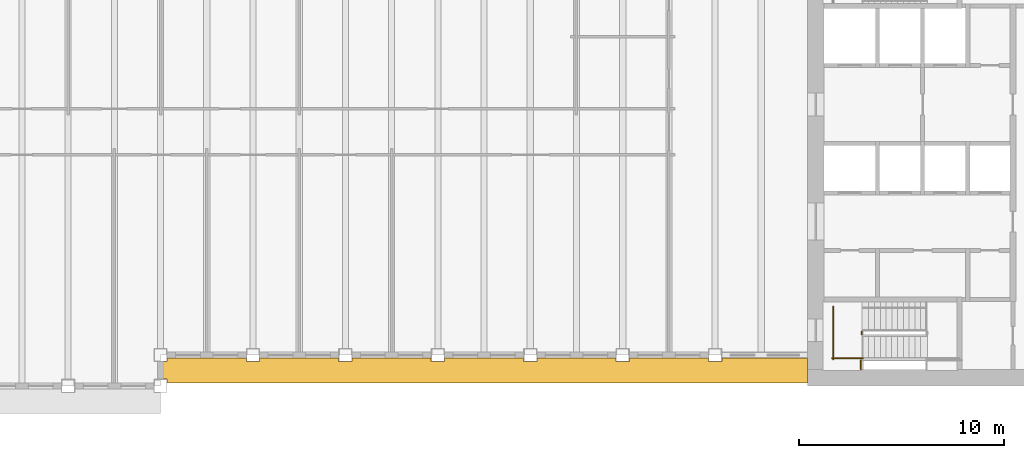
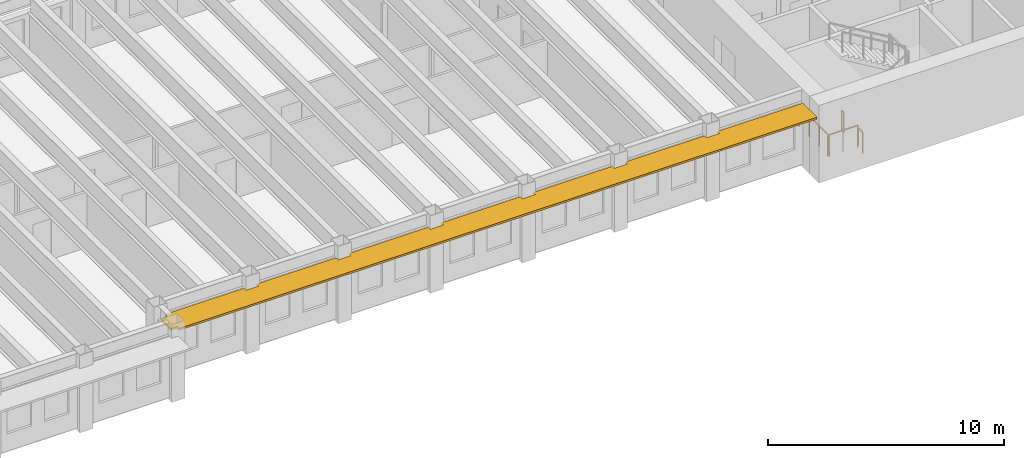
# One storey, part 9 of 12: 4 railings, 1 shading device.
"""IFC4 building model written with IfcOpenShell, lengths in metres."""

from ifc_helpers import new_model, si_unit, direction, frame, origin, origin_2d, place, context, subcontext, project, spatial, polyline, rectangle, outline, extrude, material, layer, layer_set, type_object, element, save


model = new_model("IFC4")

# Units and contexts
model_context = context("Model", 3, precision=1e-05, world=origin(), true_north=direction((0.0, 1.0)))
body_context = subcontext(model_context, "Body", "Model", "MODEL_VIEW")
ifc_project = project(units=[si_unit("LENGTHUNIT", "METRE"), si_unit("AREAUNIT", "SQUARE_METRE"), si_unit("VOLUMEUNIT", "CUBIC_METRE"), si_unit("PLANEANGLEUNIT", "RADIAN"), si_unit("MASSUNIT", "GRAM", prefix="KILO")], contexts=[model_context])

# Site, building, storey
site_placement = place(None, origin())
site = spatial("IfcSite", under=ifc_project, at=site_placement, CompositionType="ELEMENT")
building_placement = place(site_placement, origin())
building = spatial("IfcBuilding", under=site, at=building_placement, Name="Sennacour Bend Tower", CompositionType="ELEMENT")
storey_placement = place(building_placement, frame((0.0, 0.0, 261.0)))
storey = spatial("IfcBuildingStorey", under=building, at=storey_placement, Name="L60", CompositionType="ELEMENT", Elevation=261.0)

# Railings
ifc_material_1 = material(Name="Stainless steel", Category="steel")
railing_type = type_object("IfcRailingType", Name="RL-GUARD-1100", PredefinedType="GUARDRAIL", material=ifc_material_1)
railing_1_placement = place(storey_placement, frame((56.64990234375, 2.5, 0.0)))
element("IfcRailing", 1, at=railing_1_placement, inside=storey, type_object=railing_type, Name="L60 SA1 stair guard 5", PredefinedType="GUARDRAIL", context=body_context, shape_type="SweptSolid", body=[
    extrude(rectangle(XDim=0.048095703125, YDim=0.048095703125, at=origin_2d()), frame((0.0, 0.0, 1.076171875), z_axis=(0.0, 1.0, 0.0), x_axis=(-1.0, 0.0, 0.0)), (0.0, 0.0, 1.0), 0.14990234375),
    extrude(rectangle(XDim=0.0419921875, YDim=0.0419921875, at=origin_2d()), origin(), (0.0, 0.0, 1.0), 1.052001953125),
    extrude(rectangle(XDim=0.0419921875, YDim=0.0419921875, at=origin_2d()), frame((0.0, 0.14990234375, 0.0)), (0.0, 0.0, 1.0), 1.052001953125),
])
railing_2_placement = place(storey_placement, frame((55.199951171875, 1.35009765625, 0.0)))
element("IfcRailing", 2, at=railing_2_placement, inside=storey, type_object=railing_type, Name="L60 SA1 stair guard 6", PredefinedType="GUARDRAIL", context=body_context, shape_type="SweptSolid", body=[
    extrude(rectangle(XDim=0.048095703125, YDim=0.048095703125, at=origin_2d()), frame((0.0, 0.0, 1.076171875), z_axis=(1.0, 0.0, 0.0), x_axis=(0.0, 1.0, 0.0)), (0.0, 0.0, 1.0), 1.5),
    extrude(rectangle(XDim=0.0419921875, YDim=0.0419921875, at=origin_2d()), origin(), (0.0, 0.0, 1.0), 1.052001953125),
    extrude(rectangle(XDim=0.0419921875, YDim=0.0419921875, at=origin_2d()), frame((0.75, 0.0, 0.0)), (0.0, 0.0, 1.0), 1.052001953125),
    extrude(rectangle(XDim=0.0419921875, YDim=0.0419921875, at=origin_2d()), frame((1.5, 0.0, 0.0)), (0.0, 0.0, 1.0), 1.052001953125),
])
railing_3_placement = place(storey_placement, frame((55.25, 1.300048828125, 0.0)))
element("IfcRailing", 3, at=railing_3_placement, inside=storey, type_object=railing_type, Name="L60 SA1 stair guard 7", PredefinedType="GUARDRAIL", context=body_context, shape_type="SweptSolid", body=[
    extrude(rectangle(XDim=0.048095703125, YDim=0.048095703125, at=origin_2d()), frame((0.0, 0.0, 1.076171875), z_axis=(0.0, 1.0, 0.0), x_axis=(-1.0, 0.0, 0.0)), (0.0, 0.0, 1.0), 2.550048828125),
    extrude(rectangle(XDim=0.0419921875, YDim=0.0419921875, at=origin_2d()), origin(), (0.0, 0.0, 1.0), 1.052001953125),
    extrude(rectangle(XDim=0.0419921875, YDim=0.0419921875, at=origin_2d()), frame((0.0, 0.85009765625, 0.0)), (0.0, 0.0, 1.0), 1.052001953125),
    extrude(rectangle(XDim=0.0419921875, YDim=0.0419921875, at=origin_2d()), frame((0.0, 1.699951171875, 0.0)), (0.0, 0.0, 1.0), 1.052001953125),
    extrude(rectangle(XDim=0.0419921875, YDim=0.0419921875, at=origin_2d()), frame((0.0, 2.550048828125, 0.0)), (0.0, 0.0, 1.0), 1.052001953125),
])
railing_4_placement = place(storey_placement, frame((56.60009765625, 1.25, 0.0)))
element("IfcRailing", 4, at=railing_4_placement, inside=storey, type_object=railing_type, Name="L60 SA1 landing edge guard 147", PredefinedType="GUARDRAIL", context=body_context, shape_type="SweptSolid", body=[
    extrude(rectangle(XDim=0.048095703125, YDim=0.048095703125, at=origin_2d()), frame((0.0, 0.0, 1.076171875), z_axis=(0.0, -1.0, 0.0), x_axis=(1.0, 0.0, 0.0)), (0.0, 0.0, 1.0), 0.449951171875),
    extrude(rectangle(XDim=0.0419921875, YDim=0.0419921875, at=origin_2d()), origin(), (0.0, 0.0, 1.0), 1.052001953125),
    extrude(rectangle(XDim=0.0419921875, YDim=0.0419921875, at=origin_2d()), frame((0.0, -0.449951171875, 0.0)), (0.0, 0.0, 1.0), 1.052001953125),
])

# Shading device
ifc_material_2 = material(Name="Bronze anodised aluminium", Category="aluminium")
ifc_layer = layer(ifc_material_2, 0.10009765625, Name="Bronze anodised aluminium", Category="aluminium")
ifc_layer_set = layer_set([ifc_layer], Name="Bronze anodised aluminium")
shading_device_type = type_object("IfcShadingDeviceType", Name="SUNSHADE BAND STRAIGHT", PredefinedType="USERDEFINED", material=ifc_layer_set)
shading_device_placement = place(storey_placement, frame((0.0, 0.0, 3.06201171875)))
element("IfcShadingDevice", 5, at=shading_device_placement, inside=storey, type_object=shading_device_type, Name="Sunshade band L60 A outer face", ObjectType="SUNSHADE", PredefinedType="USERDEFINED", context=body_context, shape_type="SweptSolid", body=[
    extrude(outline(polyline([(26.675048828125, 1.35009765625), (26.675048828125, 1.175048828125), (27.324951171875, 1.175048828125), (27.324951171875, 1.35009765625), (31.175048828125, 1.35009765625), (31.175048828125, 1.175048828125), (31.824951171875, 1.175048828125), (31.824951171875, 1.35009765625), (35.675048828125, 1.35009765625), (35.675048828125, 1.175048828125), (36.324951171875, 1.175048828125), (36.324951171875, 1.35009765625), (40.175048828125, 1.35009765625), (40.175048828125, 1.175048828125), (40.824951171875, 1.175048828125), (40.824951171875, 1.35009765625), (44.675048828125, 1.35009765625), (44.675048828125, 1.175048828125), (45.324951171875, 1.175048828125), (45.324951171875, 1.35009765625), (49.175048828125, 1.35009765625), (49.175048828125, 1.175048828125), (49.824951171875, 1.175048828125), (49.824951171875, 1.35009765625), (54.0, 1.35009765625), (54.0, 0.14990234375), (22.824951171875, 0.14990234375), (22.824951171875, 0.324951171875), (22.5, 0.324951171875), (22.5, 1.175048828125), (22.824951171875, 1.175048828125), (22.824951171875, 1.35009765625), (26.675048828125, 1.35009765625)])), origin(), (0.0, 0.0, 1.0), 0.10009765625),
])

save(model, "model.ifc")
